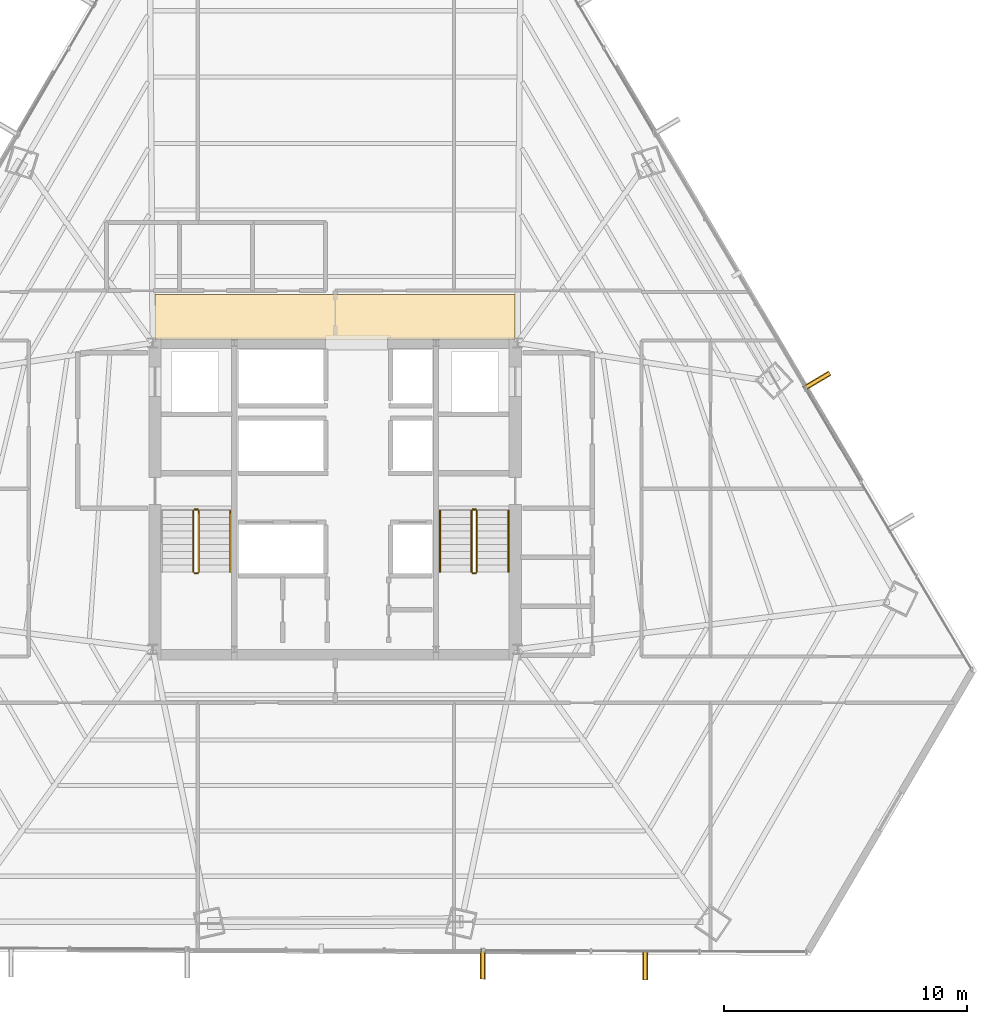
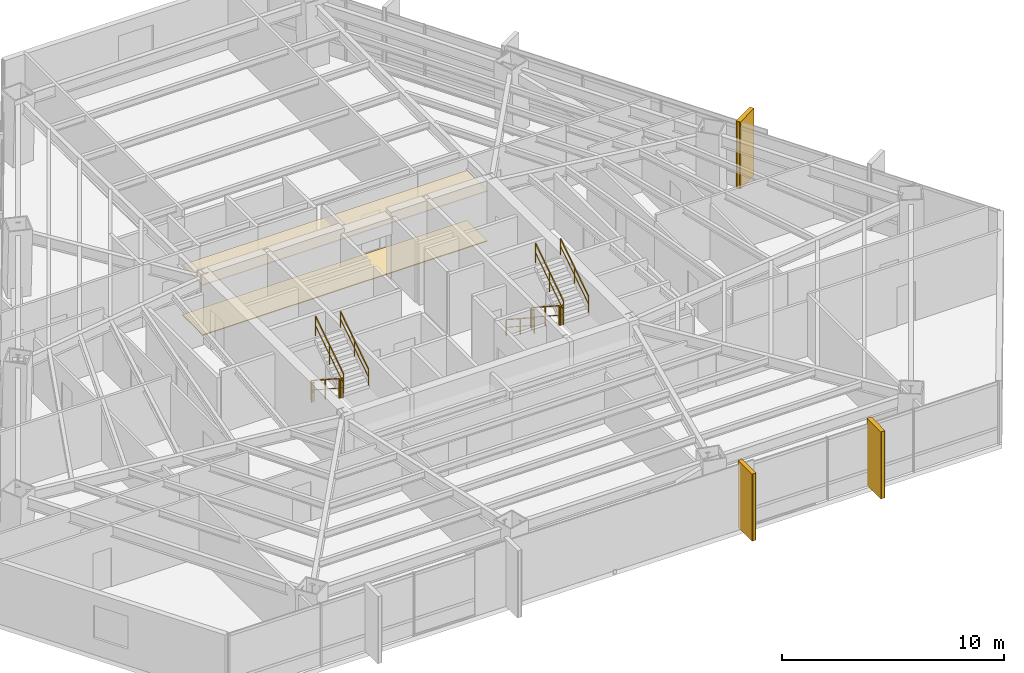
# One storey, part 34 of 35: 11 railings, 5 coverings, 3 shading devices.
"""IFC4 building model written with IfcOpenShell, lengths in metres."""

from ifc_helpers import new_model, si_unit, direction, frame, origin, origin_2d, place, context, subcontext, project, spatial, polyline, rectangle, outline, extrude, source, transform, mapped, material, layer, layer_set, type_object, type_shapes, element, save


model = new_model("IFC4")

# Units and contexts
model_context = context("Model", 3, precision=1e-05, world=origin(), true_north=direction((0.0, 1.0)))
body_context = subcontext(model_context, "Body", "Model", "MODEL_VIEW")
ifc_project = project(units=[si_unit("LENGTHUNIT", "METRE"), si_unit("AREAUNIT", "SQUARE_METRE"), si_unit("VOLUMEUNIT", "CUBIC_METRE"), si_unit("PLANEANGLEUNIT", "RADIAN"), si_unit("MASSUNIT", "GRAM", prefix="KILO")], contexts=[model_context])

# Site, building, storey
site_placement = place(None, origin())
site = spatial("IfcSite", under=ifc_project, at=site_placement, CompositionType="ELEMENT")
building_placement = place(site_placement, origin())
building = spatial("IfcBuilding", under=site, at=building_placement, Name="Caelisora Broadcast Tower", CompositionType="ELEMENT")
storey_placement = place(building_placement, frame((0.0, 0.0, 94.449951171875)))
storey = spatial("IfcBuildingStorey", under=building, at=storey_placement, Name="L24", CompositionType="ELEMENT", Elevation=94.449951171875)

# Coverings
ifc_material_1 = material(Name="Perforated Mineral-Fibre Acoustic Ceiling Tile", Category="gypsum")
ifc_layer_1 = layer(ifc_material_1, 0.034912109375, Name="Perforated Mineral-Fibre Acoustic Ceiling Tile")
ifc_layer_set_1 = layer_set([ifc_layer_1], Name="Perforated Mineral-Fibre Acoustic Ceiling Tile")
covering_type_1 = type_object("IfcCoveringType", Name="CE-1", PredefinedType="CEILING", material=ifc_layer_set_1)
covering_1_placement = place(storey_placement, frame((0.0, 0.0, 2.75)))
element("IfcCovering", 1, at=covering_1_placement, inside=storey, type_object=covering_type_1, Name="L24 acoustic corridor ceiling CE-1 (N)", PredefinedType="CEILING", context=body_context, shape_type="SweptSolid", body=[
    extrude(outline(polyline([(30.60009765625, 30.14990234375), (45.39990234375, 30.14990234375), (45.39990234375, 32.0), (30.60009765625, 32.0), (30.60009765625, 30.14990234375)])), origin(), (0.0, 0.0, 1.0), 0.03515625),
])
ifc_material_2 = material(Name="Anti-Static Broadcast Raised Access Floor Panel", Category="steel")
ifc_layer_2 = layer(ifc_material_2, 0.044921875, Name="Anti-Static Broadcast Raised Access Floor Panel")
ifc_layer_set_2 = layer_set([ifc_layer_2], Name="Anti-Static Broadcast Raised Access Floor Panel")
covering_type_2 = type_object("IfcCoveringType", Name="FL-1", PredefinedType="FLOORING", material=ifc_layer_set_2)
covering_2_placement = place(storey_placement, origin())
element("IfcCovering", 2, at=covering_2_placement, inside=storey, type_object=covering_type_2, Name="L24 broadcast raised access floor FL-1 (N)", PredefinedType="FLOORING", context=body_context, shape_type="SweptSolid", body=[
    extrude(outline(polyline([(30.60009765625, 30.14990234375), (45.39990234375, 30.14990234375), (45.39990234375, 32.0), (30.60009765625, 32.0), (30.60009765625, 30.14990234375)])), origin(), (0.0, 0.0, 1.0), 0.045166015625),
])

# Railings
ifc_material_3 = material(Name="Galvanised Steel Safety Guardrail", Category="steel")
ifc_layer_3 = layer(ifc_material_3, 0.048095703125, Name="Galvanised Steel Safety Guardrail")
ifc_layer_set_3 = layer_set([ifc_layer_3], Name="Galvanised Steel Safety Guardrail")
railing_type_1 = type_object("IfcRailingType", Name="GR-1", PredefinedType="GUARDRAIL", material=ifc_layer_set_3)
railing_1_placement = place(storey_placement, frame((32.169921875, 23.10009765625, 0.1826171875)))
element("IfcRailing", 3, at=railing_1_placement, inside=storey, type_object=railing_type_1, Name="L24 ST-1 stair guard 1", PredefinedType="GUARDRAIL", context=body_context, shape_type="SweptSolid", body=[
    extrude(rectangle(XDim=0.048095703125, YDim=0.048095703125, at=origin_2d()), frame((0.0, 0.0, 1.076171875), z_axis=(0.0, -0.837786554691, 0.545997883492), x_axis=(1.0, 0.0, 0.0)), (0.0, 0.0, 1.0), 3.008056640625),
    extrude(rectangle(XDim=0.03125, YDim=0.03125, at=origin_2d()), frame((0.0, 0.0, 0.550048828125), z_axis=(0.0, -0.837786554691, 0.545997883492), x_axis=(1.0, 0.0, 0.0)), (0.0, 0.0, 1.0), 3.008056640625),
    extrude(rectangle(XDim=0.0419921875, YDim=0.0419921875, at=origin_2d()), origin(), (0.0, 0.0, 1.0), 1.052001953125),
    extrude(rectangle(XDim=0.0419921875, YDim=0.0419921875, at=origin_2d()), frame((0.0, -1.260009765625, 0.8212890625)), (0.0, 0.0, 1.0), 1.052001953125),
    extrude(rectangle(XDim=0.0419921875, YDim=0.0419921875, at=origin_2d()), frame((0.0, -2.52001953125, 1.642333984375)), (0.0, 0.0, 1.0), 1.052001953125),
])
railing_2_placement = place(storey_placement, frame((32.219970703125, 20.530029296875, 1.824951171875)))
element("IfcRailing", 4, at=railing_2_placement, inside=storey, type_object=railing_type_1, Name="L24 ST-1 stair guard 2", PredefinedType="GUARDRAIL", context=body_context, shape_type="SweptSolid", body=[
    extrude(rectangle(XDim=0.048095703125, YDim=0.048095703125, at=origin_2d()), frame((0.0, 0.0, 1.076171875), z_axis=(1.0, 0.0, 0.0), x_axis=(0.0, 1.0, 0.0)), (0.0, 0.0, 1.0), 0.1201171875),
    extrude(rectangle(XDim=0.03125, YDim=0.03125, at=origin_2d()), frame((0.0, 0.0, 0.550048828125), z_axis=(1.0, 0.0, 0.0), x_axis=(0.0, 1.0, 0.0)), (0.0, 0.0, 1.0), 0.1201171875),
    extrude(rectangle(XDim=0.0419921875, YDim=0.0419921875, at=origin_2d()), origin(), (0.0, 0.0, 1.0), 1.052001953125),
    extrude(rectangle(XDim=0.0419921875, YDim=0.0419921875, at=origin_2d()), frame((0.1201171875, 0.0, 0.0)), (0.0, 0.0, 1.0), 1.052001953125),
])
railing_3_placement = place(storey_placement, frame((32.389892578125, 20.580078125, 2.007568359375)))
element("IfcRailing", 5, at=railing_3_placement, inside=storey, type_object=railing_type_1, Name="L24 ST-1 stair guard 3", PredefinedType="GUARDRAIL", context=body_context, shape_type="SweptSolid", body=[
    extrude(rectangle(XDim=0.048095703125, YDim=0.048095703125, at=origin_2d()), frame((0.0, 0.0, 1.076171875), z_axis=(0.0, 0.837749427056, 0.546054848405), x_axis=(-1.0, 0.0, 0.0)), (0.0, 0.0, 1.0), 3.008056640625),
    extrude(rectangle(XDim=0.03125, YDim=0.03125, at=origin_2d()), frame((0.0, 0.0, 0.550048828125), z_axis=(0.0, 0.837749427056, 0.546054848405), x_axis=(-1.0, 0.0, 0.0)), (0.0, 0.0, 1.0), 3.008056640625),
    extrude(rectangle(XDim=0.0419921875, YDim=0.0419921875, at=origin_2d()), origin(), (0.0, 0.0, 1.0), 1.052001953125),
    extrude(rectangle(XDim=0.0419921875, YDim=0.0419921875, at=origin_2d()), frame((0.0, 1.260009765625, 0.8212890625)), (0.0, 0.0, 1.0), 1.052001953125),
    extrude(rectangle(XDim=0.0419921875, YDim=0.0419921875, at=origin_2d()), frame((0.0, 2.52001953125, 1.642578125)), (0.0, 0.0, 1.0), 1.052001953125),
])
railing_4_placement = place(storey_placement, frame((32.219970703125, 23.14990234375, 0.0)))
element("IfcRailing", 6, at=railing_4_placement, inside=storey, type_object=railing_type_1, Name="L24 ST-1 stair guard 4", PredefinedType="GUARDRAIL", context=body_context, shape_type="SweptSolid", body=[
    extrude(rectangle(XDim=0.048095703125, YDim=0.048095703125, at=origin_2d()), frame((0.0, 0.0, 1.076171875), z_axis=(1.0, 0.0, 0.0), x_axis=(0.0, 1.0, 0.0)), (0.0, 0.0, 1.0), 0.1201171875),
    extrude(rectangle(XDim=0.03125, YDim=0.03125, at=origin_2d()), frame((0.0, 0.0, 0.550048828125), z_axis=(1.0, 0.0, 0.0), x_axis=(0.0, 1.0, 0.0)), (0.0, 0.0, 1.0), 0.1201171875),
    extrude(rectangle(XDim=0.0419921875, YDim=0.0419921875, at=origin_2d()), origin(), (0.0, 0.0, 1.0), 1.052001953125),
    extrude(rectangle(XDim=0.0419921875, YDim=0.0419921875, at=origin_2d()), frame((0.1201171875, 0.0, 0.0)), (0.0, 0.0, 1.0), 1.052001953125),
])
railing_5_placement = place(storey_placement, frame((43.610107421875, 23.10009765625, 0.1826171875)))
element("IfcRailing", 7, at=railing_5_placement, inside=storey, type_object=railing_type_1, Name="L24 ST-2 stair guard 1", PredefinedType="GUARDRAIL", context=body_context, shape_type="SweptSolid", body=[
    extrude(rectangle(XDim=0.048095703125, YDim=0.048095703125, at=origin_2d()), frame((0.0, 0.0, 1.076171875), z_axis=(0.0, -0.837786554691, 0.545997883492), x_axis=(1.0, 0.0, 0.0)), (0.0, 0.0, 1.0), 3.008056640625),
    extrude(rectangle(XDim=0.03125, YDim=0.03125, at=origin_2d()), frame((0.0, 0.0, 0.550048828125), z_axis=(0.0, -0.837786554691, 0.545997883492), x_axis=(1.0, 0.0, 0.0)), (0.0, 0.0, 1.0), 3.008056640625),
    extrude(rectangle(XDim=0.0419921875, YDim=0.0419921875, at=origin_2d()), origin(), (0.0, 0.0, 1.0), 1.052001953125),
    extrude(rectangle(XDim=0.0419921875, YDim=0.0419921875, at=origin_2d()), frame((0.0, -1.260009765625, 0.8212890625)), (0.0, 0.0, 1.0), 1.052001953125),
    extrude(rectangle(XDim=0.0419921875, YDim=0.0419921875, at=origin_2d()), frame((0.0, -2.52001953125, 1.642333984375)), (0.0, 0.0, 1.0), 1.052001953125),
])
railing_6_placement = place(storey_placement, frame((43.659912109375, 20.530029296875, 1.824951171875)))
element("IfcRailing", 8, at=railing_6_placement, inside=storey, type_object=railing_type_1, Name="L24 ST-2 stair guard 2", PredefinedType="GUARDRAIL", context=body_context, shape_type="SweptSolid", body=[
    extrude(rectangle(XDim=0.048095703125, YDim=0.048095703125, at=origin_2d()), frame((0.0, 0.0, 1.076171875), z_axis=(1.0, 0.0, 0.0), x_axis=(0.0, 1.0, 0.0)), (0.0, 0.0, 1.0), 0.1201171875),
    extrude(rectangle(XDim=0.03125, YDim=0.03125, at=origin_2d()), frame((0.0, 0.0, 0.550048828125), z_axis=(1.0, 0.0, 0.0), x_axis=(0.0, 1.0, 0.0)), (0.0, 0.0, 1.0), 0.1201171875),
    extrude(rectangle(XDim=0.0419921875, YDim=0.0419921875, at=origin_2d()), origin(), (0.0, 0.0, 1.0), 1.052001953125),
    extrude(rectangle(XDim=0.0419921875, YDim=0.0419921875, at=origin_2d()), frame((0.1201171875, 0.0, 0.0)), (0.0, 0.0, 1.0), 1.052001953125),
])
railing_7_placement = place(storey_placement, frame((43.830078125, 20.580078125, 2.007568359375)))
element("IfcRailing", 9, at=railing_7_placement, inside=storey, type_object=railing_type_1, Name="L24 ST-2 stair guard 3", PredefinedType="GUARDRAIL", context=body_context, shape_type="SweptSolid", body=[
    extrude(rectangle(XDim=0.048095703125, YDim=0.048095703125, at=origin_2d()), frame((0.0, 0.0, 1.076171875), z_axis=(0.0, 0.837749427056, 0.546054848405), x_axis=(-1.0, 0.0, 0.0)), (0.0, 0.0, 1.0), 3.008056640625),
    extrude(rectangle(XDim=0.03125, YDim=0.03125, at=origin_2d()), frame((0.0, 0.0, 0.550048828125), z_axis=(0.0, 0.837749427056, 0.546054848405), x_axis=(-1.0, 0.0, 0.0)), (0.0, 0.0, 1.0), 3.008056640625),
    extrude(rectangle(XDim=0.0419921875, YDim=0.0419921875, at=origin_2d()), origin(), (0.0, 0.0, 1.0), 1.052001953125),
    extrude(rectangle(XDim=0.0419921875, YDim=0.0419921875, at=origin_2d()), frame((0.0, 1.260009765625, 0.8212890625)), (0.0, 0.0, 1.0), 1.052001953125),
    extrude(rectangle(XDim=0.0419921875, YDim=0.0419921875, at=origin_2d()), frame((0.0, 2.52001953125, 1.642578125)), (0.0, 0.0, 1.0), 1.052001953125),
])
railing_8_placement = place(storey_placement, frame((43.659912109375, 23.14990234375, 0.0)))
element("IfcRailing", 10, at=railing_8_placement, inside=storey, type_object=railing_type_1, Name="L24 ST-2 stair guard 4", PredefinedType="GUARDRAIL", context=body_context, shape_type="SweptSolid", body=[
    extrude(rectangle(XDim=0.048095703125, YDim=0.048095703125, at=origin_2d()), frame((0.0, 0.0, 1.076171875), z_axis=(1.0, 0.0, 0.0), x_axis=(0.0, 1.0, 0.0)), (0.0, 0.0, 1.0), 0.1201171875),
    extrude(rectangle(XDim=0.03125, YDim=0.03125, at=origin_2d()), frame((0.0, 0.0, 0.550048828125), z_axis=(1.0, 0.0, 0.0), x_axis=(0.0, 1.0, 0.0)), (0.0, 0.0, 1.0), 0.1201171875),
    extrude(rectangle(XDim=0.0419921875, YDim=0.0419921875, at=origin_2d()), origin(), (0.0, 0.0, 1.0), 1.052001953125),
    extrude(rectangle(XDim=0.0419921875, YDim=0.0419921875, at=origin_2d()), frame((0.1201171875, 0.0, 0.0)), (0.0, 0.0, 1.0), 1.052001953125),
])
ifc_material_4 = material(Name="Stainless Steel Grade 316 Tubular Handrail", Category="steel")
ifc_layer_4 = layer(ifc_material_4, 0.048095703125, Name="Stainless Steel Grade 316 Tubular Handrail")
ifc_layer_set_4 = layer_set([ifc_layer_4], Name="Stainless Steel Grade 316 Tubular Handrail")
railing_type_2 = type_object("IfcRailingType", Name="HR-1", PredefinedType="HANDRAIL", material=ifc_layer_set_4)
railing_9_placement = place(storey_placement, frame((33.68994140625, 20.580078125, 2.007568359375)))
element("IfcRailing", 11, at=railing_9_placement, inside=storey, type_object=railing_type_2, Name="L24 ST-1 stair handrail 2", PredefinedType="HANDRAIL", context=body_context, shape_type="SweptSolid", body=[
    extrude(rectangle(XDim=0.048095703125, YDim=0.048095703125, at=origin_2d()), frame((0.0, 0.0, 0.8759765625), z_axis=(0.0, 0.837749427056, 0.546054848405), x_axis=(-1.0, 0.0, 0.0)), (0.0, 0.0, 1.0), 3.008056640625),
    extrude(rectangle(XDim=0.03125, YDim=0.03125, at=origin_2d()), frame((0.0, 0.0, 0.449951171875), z_axis=(0.0, 0.837749427056, 0.546054848405), x_axis=(-1.0, 0.0, 0.0)), (0.0, 0.0, 1.0), 3.008056640625),
    extrude(rectangle(XDim=0.0419921875, YDim=0.0419921875, at=origin_2d()), origin(), (0.0, 0.0, 1.0), 0.851806640625),
    extrude(rectangle(XDim=0.0419921875, YDim=0.0419921875, at=origin_2d()), frame((0.0, 1.260009765625, 0.8212890625)), (0.0, 0.0, 1.0), 0.851806640625),
    extrude(rectangle(XDim=0.0419921875, YDim=0.0419921875, at=origin_2d()), frame((0.0, 2.52001953125, 1.642578125)), (0.0, 0.0, 1.0), 0.851806640625),
])
railing_10_placement = place(storey_placement, frame((42.31005859375, 23.10009765625, 0.1826171875)))
element("IfcRailing", 12, at=railing_10_placement, inside=storey, type_object=railing_type_2, Name="L24 ST-2 stair handrail 1", PredefinedType="HANDRAIL", context=body_context, shape_type="SweptSolid", body=[
    extrude(rectangle(XDim=0.048095703125, YDim=0.048095703125, at=origin_2d()), frame((0.0, 0.0, 0.8759765625), z_axis=(0.0, -0.837786554691, 0.545997883492), x_axis=(1.0, 0.0, 0.0)), (0.0, 0.0, 1.0), 3.008056640625),
    extrude(rectangle(XDim=0.03125, YDim=0.03125, at=origin_2d()), frame((0.0, 0.0, 0.449951171875), z_axis=(0.0, -0.837786554691, 0.545997883492), x_axis=(1.0, 0.0, 0.0)), (0.0, 0.0, 1.0), 3.008056640625),
    extrude(rectangle(XDim=0.0419921875, YDim=0.0419921875, at=origin_2d()), origin(), (0.0, 0.0, 1.0), 0.851806640625),
    extrude(rectangle(XDim=0.0419921875, YDim=0.0419921875, at=origin_2d()), frame((0.0, -1.260009765625, 0.8212890625)), (0.0, 0.0, 1.0), 0.851806640625),
    extrude(rectangle(XDim=0.0419921875, YDim=0.0419921875, at=origin_2d()), frame((0.0, -2.52001953125, 1.642333984375)), (0.0, 0.0, 1.0), 0.851806640625),
])
railing_11_placement = place(storey_placement, frame((45.1298828125, 20.580078125, 2.007568359375)))
element("IfcRailing", 13, at=railing_11_placement, inside=storey, type_object=railing_type_2, Name="L24 ST-2 stair handrail 2", PredefinedType="HANDRAIL", context=body_context, shape_type="SweptSolid", body=[
    extrude(rectangle(XDim=0.048095703125, YDim=0.048095703125, at=origin_2d()), frame((0.0, 0.0, 0.8759765625), z_axis=(0.0, 0.837749427056, 0.546054848405), x_axis=(-1.0, 0.0, 0.0)), (0.0, 0.0, 1.0), 3.008056640625),
    extrude(rectangle(XDim=0.03125, YDim=0.03125, at=origin_2d()), frame((0.0, 0.0, 0.449951171875), z_axis=(0.0, 0.837749427056, 0.546054848405), x_axis=(-1.0, 0.0, 0.0)), (0.0, 0.0, 1.0), 3.008056640625),
    extrude(rectangle(XDim=0.0419921875, YDim=0.0419921875, at=origin_2d()), origin(), (0.0, 0.0, 1.0), 0.851806640625),
    extrude(rectangle(XDim=0.0419921875, YDim=0.0419921875, at=origin_2d()), frame((0.0, 1.260009765625, 0.8212890625)), (0.0, 0.0, 1.0), 0.851806640625),
    extrude(rectangle(XDim=0.0419921875, YDim=0.0419921875, at=origin_2d()), frame((0.0, 2.52001953125, 1.642578125)), (0.0, 0.0, 1.0), 0.851806640625),
])

# Coverings
ifc_material_5 = material(Name="Kiln-Fired Terracotta Spandrel Rainscreen Cladding", Category="ceramic")
ifc_layer_5 = layer(ifc_material_5, 0.044921875, Name="Kiln-Fired Terracotta Spandrel Rainscreen Cladding")
ifc_layer_set_5 = layer_set([ifc_layer_5], Name="Kiln-Fired Terracotta Spandrel Rainscreen Cladding")
covering_type_3 = type_object("IfcCoveringType", Name="CL-1", PredefinedType="CLADDING", material=ifc_layer_set_5)
shared_shape_1 = source(origin(), body_context, "Body", "SweptSolid", [
    extrude(rectangle(XDim=0.219970703125, YDim=1.25, at=origin_2d()), origin(), (0.0, 0.0, 1.0), 3.68994140625),
])
type_shapes(covering_type_3, [shared_shape_1])
for number, where, z_axis, x_axis, name in (
    (14, (57.808349609375, 28.437255859375, -0.02001953125), (0.0, 0.0, 1.0), (0.509341840379, -0.860564285593, 0.0), "L24 vertical solar fin cladding #1-3"),
    (15, (50.751708984375, 4.42431640625, -0.02001953125), (0.0, 0.0, 1.0), (-0.999989703949, 0.004537840481, 0.0), "L24 vertical solar fin cladding #2-1"),
    (16, (44.070068359375, 4.454833984375, -0.02001953125), (0.0, 0.0, 1.0), (-0.999989703949, 0.004537840481, 0.0), "L24 vertical solar fin cladding #2-2"),
):
    element("IfcCovering", number, at=place(storey_placement, frame(where, z_axis=z_axis, x_axis=x_axis)), inside=storey, type_object=covering_type_3, Name=name, PredefinedType="CLADDING", context=body_context, shape_type="MappedRepresentation", body=[
        mapped(shared_shape_1, transform((0.0, 0.0, 0.0), scale=1.0)),
    ])

# Shading devices
ifc_material_6 = material(Name="Extruded Terracotta Flaring Colonnade Fin", Category="ceramic")
ifc_layer_6 = layer(ifc_material_6, 0.139892578125, Name="Extruded Terracotta Flaring Colonnade Fin")
ifc_layer_set_6 = layer_set([ifc_layer_6], Name="Extruded Terracotta Flaring Colonnade Fin")
shading_device_type = type_object("IfcShadingDeviceType", Name="FN-1", PredefinedType="USERDEFINED", material=ifc_layer_set_6)
shared_shape_2 = source(origin(), body_context, "Body", "SweptSolid", [
    extrude(rectangle(XDim=0.139892578125, YDim=1.25, at=origin_2d()), origin(), (0.0, 0.0, 1.0), 3.669921875),
])
type_shapes(shading_device_type, [shared_shape_2])
for number, where, z_axis, x_axis, name in (
    (17, (57.808349609375, 28.437255859375, -0.010009765625), (0.0, 0.0, 1.0), (0.509341840379, -0.860564285593, 0.0), "L24 vertical terracotta fin #1-3"),
    (18, (50.751708984375, 4.42431640625, -0.010009765625), (0.0, 0.0, 1.0), (-0.999989703949, 0.004537840481, 0.0), "L24 vertical terracotta fin #2-1"),
    (19, (44.070068359375, 4.454833984375, -0.010009765625), (0.0, 0.0, 1.0), (-0.999989703949, 0.004537840481, 0.0), "L24 vertical terracotta fin #2-2"),
):
    element("IfcShadingDevice", number, at=place(storey_placement, frame(where, z_axis=z_axis, x_axis=x_axis)), inside=storey, type_object=shading_device_type, Name=name, ObjectType="FIN", PredefinedType="USERDEFINED", context=body_context, shape_type="MappedRepresentation", body=[
        mapped(shared_shape_2, transform((0.0, 0.0, 0.0), scale=1.0)),
    ])

save(model, "model.ifc")
